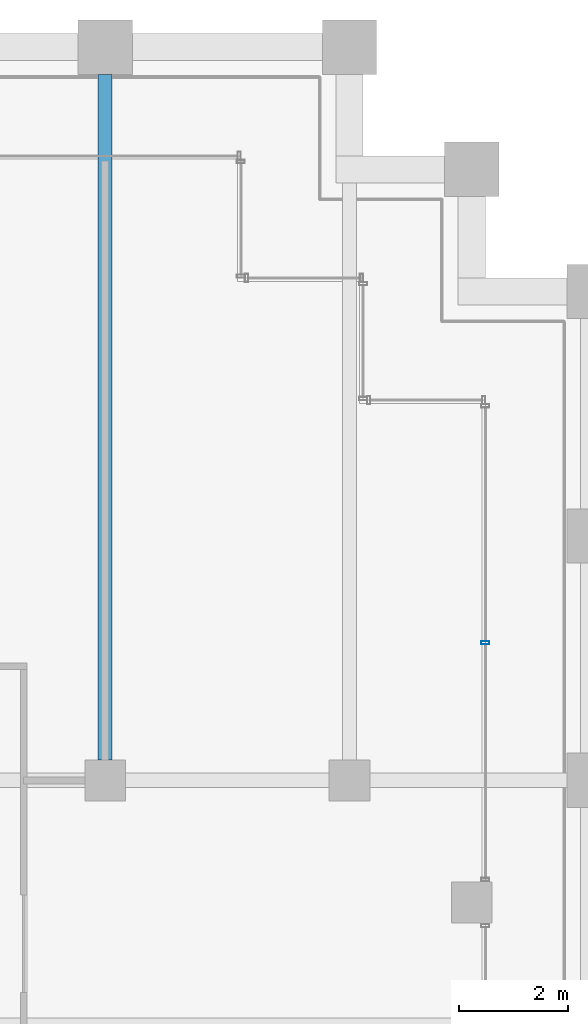
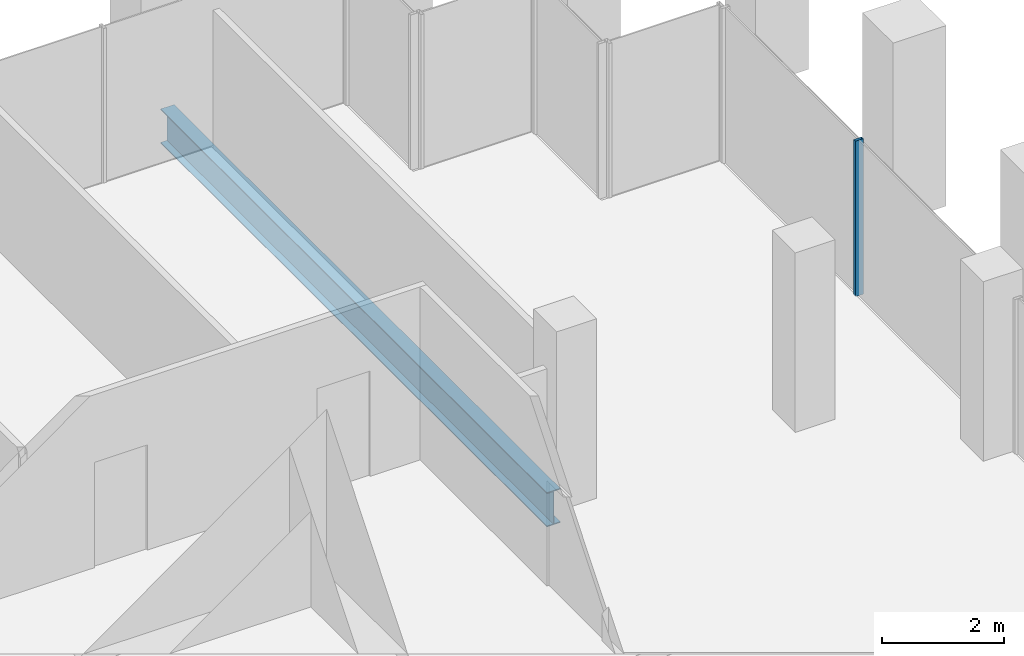
# One storey, part 24 of 46: 1 beam, 1 member, 1 element without a shape of its own.
"""IFC4 building model written with IfcOpenShell, lengths in metres."""

import ifcopenshell
import ifcopenshell.guid

model = None  # the IFC model being written
_history = None  # IfcOwnerHistory: only IFC2X3 demands one
_inside = {}  # id of a spatial element -> (the spatial element, [elements in it])
_under = {}  # id of a project, library or spatial element -> (it, [spatial elements below it])
_declared = {}  # id of a project -> (the project, [libraries it declares])
_typed = {}  # id of a type object -> (the type object, [elements of that type])
_made_of = {}  # id of a material, layer set ... -> (it, [elements and type objects made of it])


def new_model(schema):
    """Start an empty IFC model of exactly this schema.

    Asked for "IFC4X3", IfcOpenShell would pick the latest addendum, in which some entities
    have other attributes; the version numbers below select the first issue.
    IFC2X3 requires an IfcOwnerHistory on every rooted entity: one is made here for all.
    """
    global model, _history
    if schema == "IFC4X3":
        model = ifcopenshell.file(schema_version=(4, 3, 0, 0))
    else:
        model = ifcopenshell.file(schema=schema)
    _inside.clear()
    _under.clear()
    _declared.clear()
    _typed.clear()
    _made_of.clear()
    _history = None
    if model.schema == "IFC2X3":
        org = make("IfcOrganization", Name="unknown")
        user = make(
            "IfcPersonAndOrganization",
            ThePerson=make("IfcPerson", FamilyName="unknown"),
            TheOrganization=org,
        )
        app = make(
            "IfcApplication",
            ApplicationDeveloper=org,
            Version="unknown",
            ApplicationFullName="unknown",
            ApplicationIdentifier="unknown",
        )
        _history = make(
            "IfcOwnerHistory",
            OwningUser=user,
            OwningApplication=app,
            ChangeAction="ADDED",
            CreationDate=0,
        )
    return model


def make(cls, **values):
    """One entity of the class cls with the attributes given. An attribute that is None is left unset."""
    return model.create_entity(
        cls, **{name: value for name, value in values.items() if value is not None}
    )


def rooted(cls, **values):
    """An entity with a GlobalId (a new one), such as an element, a storey or a relation."""
    return make(cls, GlobalId=ifcopenshell.guid.new(), OwnerHistory=_history, **values)


def si_unit(unit_type, name, prefix=None):
    """IfcSIUnit, for example si_unit("LENGTHUNIT", "METRE", prefix="MILLI")."""
    return make("IfcSIUnit", UnitType=unit_type, Prefix=prefix, Name=name)


def assignment(units):
    """IfcUnitAssignment: the units of a project."""
    return None if units is None else make("IfcUnitAssignment", Units=units)


def point(xyz):
    """IfcCartesianPoint."""
    return None if xyz is None else make("IfcCartesianPoint", Coordinates=xyz)


def direction(xyz):
    """IfcDirection."""
    return None if xyz is None else make("IfcDirection", DirectionRatios=xyz)


def frame(location, z_axis=None, x_axis=None):
    """IfcAxis2Placement3D, a coordinate frame: its origin and axes. An axis left out is left unset."""
    return make(
        "IfcAxis2Placement3D",
        Location=point(location),
        Axis=direction(z_axis),
        RefDirection=direction(x_axis),
    )


def frame_2d(location, x_axis=None):
    """IfcAxis2Placement2D, a coordinate frame in the plane: its origin and x axis."""
    return make(
        "IfcAxis2Placement2D", Location=point(location), RefDirection=direction(x_axis)
    )


def origin():
    """The frame at (0, 0, 0) with its axes left unset."""
    return frame((0.0, 0.0, 0.0))


def origin_2d():
    """The frame at (0, 0) in the plane with its x axis left unset."""
    return frame_2d((0.0, 0.0))


def place(relative_to, where):
    """IfcLocalPlacement: puts the frame where relative to a parent placement (None: the world)."""
    return make(
        "IfcLocalPlacement", PlacementRelTo=relative_to, RelativePlacement=where
    )


def context(
    kind, dimensions, precision=None, world=None, true_north=None, identifier=None
):
    """IfcGeometricRepresentationContext, for example the 3D "Model" context."""
    return make(
        "IfcGeometricRepresentationContext",
        ContextIdentifier=identifier,
        ContextType=kind,
        CoordinateSpaceDimension=dimensions,
        Precision=precision,
        WorldCoordinateSystem=world,
        TrueNorth=true_north,
    )


def subcontext(parent, identifier, kind, view, scale=None):
    """IfcGeometricRepresentationSubContext, for example "Body" below "Model"."""
    return make(
        "IfcGeometricRepresentationSubContext",
        ContextIdentifier=identifier,
        ContextType=kind,
        ParentContext=parent,
        TargetScale=scale,
        TargetView=view,
    )


def project(units=None, contexts=None):
    """IfcProject with its units and contexts."""
    return rooted(
        "IfcProject",
        Name="project",
        RepresentationContexts=contexts,
        UnitsInContext=assignment(units),
    )


def spatial(cls, under=None, at=None, **own):
    """A site, building, storey or space (cls), placed at a placement, below another one or the project."""
    s = rooted(cls, ObjectPlacement=at, **own)
    if under is not None:
        _under.setdefault(under.id(), (under, []))[1].append(s)
    return s


def profile(cls, at=None, kind="AREA", **sizes):
    """A parametric profile (cls). Its sizes go by their IFC names, for example OverallWidth=200.0."""
    return make(cls, ProfileType=kind, Position=at, **sizes)


def hollow_rectangle(**sizes):
    """IfcRectangleHollowProfileDef."""
    return profile("IfcRectangleHollowProfileDef", **sizes)


def i_section(**sizes):
    """IfcIShapeProfileDef."""
    return profile("IfcIShapeProfileDef", **sizes)


def extrude(swept, where, along, depth):
    """IfcExtrudedAreaSolid: the profile swept, set in the frame where, extruded along a direction by depth."""
    return make(
        "IfcExtrudedAreaSolid",
        SweptArea=swept,
        Position=where,
        ExtrudedDirection=direction(along),
        Depth=depth,
    )


def shape(context_of_items, identifier, shape_type, items):
    """IfcShapeRepresentation: the items that make up one representation, for example the "Body"."""
    return make(
        "IfcShapeRepresentation",
        ContextOfItems=context_of_items,
        RepresentationIdentifier=identifier,
        RepresentationType=shape_type,
        Items=items,
    )


def material(Name=None, Category=None):
    """IfcMaterial."""
    return make("IfcMaterial", Name=Name, Category=Category)


def material_profile(
    of_material, cross_section, Name=None, Category=None, Priority=None
):
    """IfcMaterialProfile: a cross section and its material."""
    return make(
        "IfcMaterialProfile",
        Name=Name,
        Material=of_material,
        Profile=cross_section,
        Priority=Priority,
        Category=Category,
    )


def profile_set(profiles, Name=None, composite=None):
    """IfcMaterialProfileSet."""
    return make(
        "IfcMaterialProfileSet",
        Name=Name,
        MaterialProfiles=profiles,
        CompositeProfile=composite,
    )


def made_of(thing, what):
    """Note that an element or type object is made of a material, layer set ...; save() writes the relation."""
    if what is not None:
        _made_of.setdefault(what.id(), (what, []))[1].append(thing)
    return thing


def type_object(cls, material=None, **own):
    """A type object (cls), such as IfcWallType, which elements share."""
    return made_of(rooted(cls, **own), material)


def element(
    cls,
    number,
    at=None,
    inside=None,
    cuts=None,
    type_object=None,
    material=None,
    context=None,
    identifier="Body",
    shape_type=None,
    held_by="IfcProductDefinitionShape",
    body=None,
    shapes=None,
    **own,
):
    """One element of the class cls, such as IfcWall. Its Tag is "e" and its number.

    at: its placement. inside: the storey or other place that contains it. cuts: it is an
    opening in that element (IfcRelVoidsElement). A single representation is given by context,
    identifier, shape_type and body (its items); several are given by shapes. held_by: the class
    of the entity that holds the representations. save() writes the other relations.
    """
    e = rooted(cls, Tag="e%d" % number, ObjectPlacement=at, **own)
    if body is not None:
        shapes = [shape(context, identifier, shape_type, body)]
    if shapes is not None:
        e.Representation = make(held_by, Representations=shapes)
    if inside is not None:
        _inside.setdefault(inside.id(), (inside, []))[1].append(e)
    if cuts is not None:
        rooted(
            "IfcRelVoidsElement", RelatingBuildingElement=cuts, RelatedOpeningElement=e
        )
    if type_object is not None:
        _typed.setdefault(type_object.id(), (type_object, []))[1].append(e)
    return made_of(e, material)


def aggregate(whole, parts):
    """IfcRelAggregates: a whole, such as a stair, and the parts it consists of."""
    return rooted("IfcRelAggregates", RelatingObject=whole, RelatedObjects=parts)


def save(model, path):
    """Write the relations noted so far, then the file.

    IfcRelAggregates (storeys below a building ...), IfcRelContainedInSpatialStructure (elements
    in a storey), IfcRelDefinesByType, IfcRelAssociatesMaterial and IfcRelDeclares: one each for
    every whole, place, type object, material and project.
    """
    for whole, parts in _under.values():
        aggregate(whole, parts)
    for where, things in _inside.values():
        rooted(
            "IfcRelContainedInSpatialStructure",
            RelatedElements=things,
            RelatingStructure=where,
        )
    for kind, things in _typed.values():
        rooted("IfcRelDefinesByType", RelatedObjects=things, RelatingType=kind)
    for what, things in _made_of.values():
        rooted("IfcRelAssociatesMaterial", RelatedObjects=things, RelatingMaterial=what)
    for by, libraries in _declared.values():
        rooted("IfcRelDeclares", RelatingContext=by, RelatedDefinitions=libraries)
    model.write(path)


model = new_model("IFC4")

# Units and contexts
model_context = context("Model", 3, precision=1e-05, world=origin(), true_north=direction((0.0, 1.0)))
body_context = subcontext(model_context, "Body", "Model", "MODEL_VIEW")
ifc_project = project(units=[si_unit("LENGTHUNIT", "METRE"), si_unit("AREAUNIT", "SQUARE_METRE"), si_unit("VOLUMEUNIT", "CUBIC_METRE"), si_unit("PLANEANGLEUNIT", "RADIAN"), si_unit("MASSUNIT", "GRAM", prefix="KILO")], contexts=[model_context])

# Site, building, storey
site_placement = place(None, origin())
site = spatial("IfcSite", under=ifc_project, at=site_placement, CompositionType="ELEMENT")
building_placement = place(site_placement, origin())
building = spatial("IfcBuilding", under=site, at=building_placement, Name="Altepetl Exchange Towers", CompositionType="ELEMENT")
storey_placement = place(building_placement, frame((0.0, 0.0, 128.0)))
storey = spatial("IfcBuildingStorey", under=building, at=storey_placement, Name="L31", CompositionType="ELEMENT", Elevation=128.0)

# Beam
ifc_material_1 = material(Name="Steel S355", Category="steel")
ifc_material_profile_1 = material_profile(ifc_material_1, i_section(OverallWidth=0.25390625, OverallDepth=0.68408203125, WebThickness=0.012451171875, FlangeThickness=0.018798828125, at=origin_2d()), Name="W27X94")
ifc_profile_set_1 = profile_set([ifc_material_profile_1], Name="Steel S355")
beam_type = type_object("IfcBeamType", Name="Floor beam W27X94", PredefinedType="BEAM", material=ifc_profile_set_1)
beam_placement = place(storey_placement, frame((63.0, 58.875, -0.491943359375), z_axis=(0.0, 1.0, 0.0), x_axis=(-1.0, 0.0, 0.0)))
element("IfcBeam", 1, at=beam_placement, inside=storey, type_object=beam_type, Name="bm:A:L31:004", PredefinedType="BEAM", context=body_context, shape_type="SweptSolid", body=[
    extrude(i_section(OverallWidth=0.25390625, OverallDepth=0.68408203125, WebThickness=0.012451171875, FlangeThickness=0.018798828125, at=origin_2d()), origin(), (0.0, 0.0, 1.0), 12.625),
])

# Curtain wall, member
ifc_material_2 = material(Name="Aluminium 6063-T6 glazing", Category="aluminium")
curtain_wall_type = type_object("IfcCurtainWallType", Name="Loggia glazing system", PredefinedType="NOTDEFINED", material=ifc_material_2)
curtain_wall_placement = place(storey_placement, origin())
curtain_wall = element("IfcCurtainWall", 2, at=curtain_wall_placement, inside=storey, type_object=curtain_wall_type, Name="CW1 run", PredefinedType="NOTDEFINED")
ifc_material_3 = material(Name="Aluminium 6063-T6", Category="aluminium")
ifc_material_profile_2 = material_profile(ifc_material_3, hollow_rectangle(XDim=0.06005859375, YDim=0.14990234375, WallThickness=0.0029296875, at=origin_2d()), Name="Mullion 60x150 aluminium")
ifc_profile_set_2 = profile_set([ifc_material_profile_2], Name="Aluminium 6063-T6")
member_type = type_object("IfcMemberType", Name="Mullion 60x150 aluminium", PredefinedType="MULLION", material=ifc_profile_set_2)
member_placement = place(storey_placement, frame((70.0, 61.034912109375, 0.0), z_axis=(0.0, 0.0, 1.0), x_axis=(0.0, 1.0, 0.0)))
member = element("IfcMember", 3, at=member_placement, type_object=member_type, Name="MU1 mullion", PredefinedType="MULLION", context=body_context, shape_type="SweptSolid", body=[
    extrude(hollow_rectangle(XDim=0.06005859375, YDim=0.14990234375, WallThickness=0.0029296875, at=origin_2d()), origin(), (0.0, 0.0, 1.0), 3.10009765625),
])
aggregate(curtain_wall, [member])

save(model, "model.ifc")
